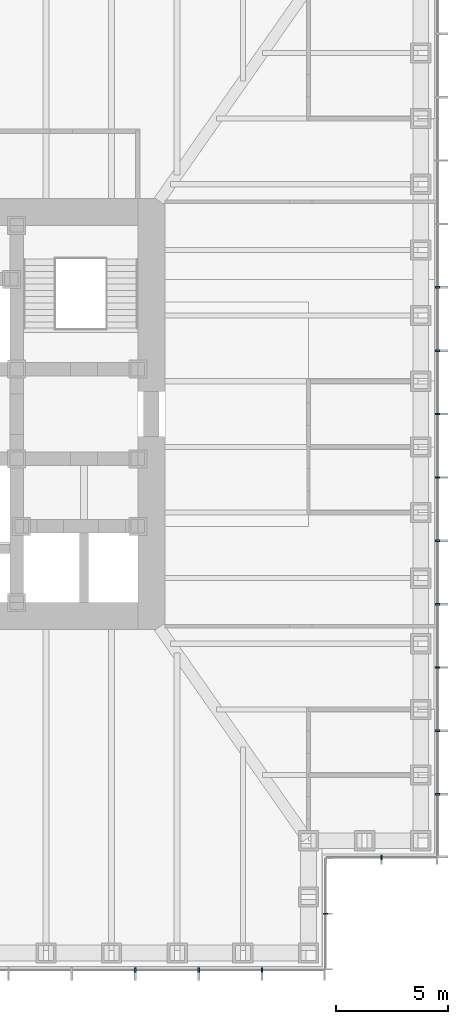
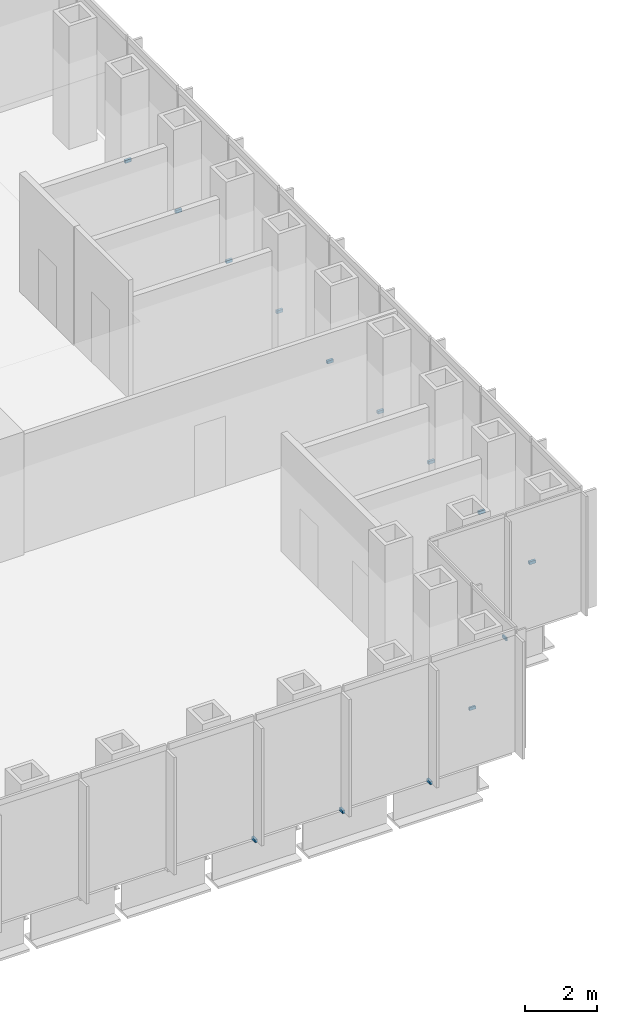
# One storey, part 13 of 16: 14 discrete accessories.
"""IFC4 building model written with IfcOpenShell, lengths in metres."""

from ifc_helpers import new_model, si_unit, direction, frame, origin, origin_2d, place, context, subcontext, project, spatial, rectangle, extrude, element, save


model = new_model("IFC4")

# Units and contexts
model_context = context("Model", 3, precision=1e-05, world=origin(), true_north=direction((0.0, 1.0)))
body_context = subcontext(model_context, "Body", "Model", "MODEL_VIEW")
ifc_project = project(units=[si_unit("LENGTHUNIT", "METRE"), si_unit("AREAUNIT", "SQUARE_METRE"), si_unit("VOLUMEUNIT", "CUBIC_METRE"), si_unit("PLANEANGLEUNIT", "RADIAN"), si_unit("MASSUNIT", "GRAM", prefix="KILO")], contexts=[model_context])

# Site, building, storey
site_placement = place(None, origin())
site = spatial("IfcSite", under=ifc_project, at=site_placement, CompositionType="ELEMENT")
building_placement = place(site_placement, origin())
building = spatial("IfcBuilding", under=site, at=building_placement, Name="Daluyong Arena Tower", CompositionType="ELEMENT")
storey_placement = place(building_placement, frame((0.0, 0.0, 64.300048828125)))
storey = spatial("IfcBuildingStorey", under=building, at=storey_placement, Name="L13", CompositionType="ELEMENT", Elevation=64.300048828125)

# Discrete accessories
for number, where, z_axis, x_axis, name in (
    (1, (67.28564453125, 55.25, -0.10009765625), (0.0, 0.0, 1.0), (1.0, 0.0, 0.0), "curtain wall L13 S anchor bracket 12"),
    (2, (70.107177734375, 55.25, -0.10009765625), (0.0, 0.0, 1.0), (1.0, 0.0, 0.0), "curtain wall L13 S anchor bracket 13"),
    (3, (72.928466796875, 55.25, -0.10009765625), (0.0, 0.0, 1.0), (1.0, 0.0, 0.0), "curtain wall L13 S anchor bracket 14"),
):
    element("IfcDiscreteAccessory", number, at=place(storey_placement, frame(where, z_axis=z_axis, x_axis=x_axis)), inside=storey, Name=name, PredefinedType="BRACKET", context=body_context, shape_type="SweptSolid", body=[
        extrude(rectangle(XDim=0.080078125, YDim=0.199951171875, at=origin_2d()), origin(), (0.0, 0.0, 1.0), 0.10009765625),
    ])
for number, where, z_axis, x_axis, name in (
    (4, (75.75, 57.75, -0.10009765625), (0.0, 0.0, 1.0), (0.0, 1.0, 0.0), "curtain wall L13 SE-E anchor bracket 2"),
    (5, (78.25, 60.25, -0.10009765625), (0.0, 0.0, 1.0), (1.0, 0.0, 0.0), "curtain wall L13 SE-S anchor bracket 2"),
):
    element("IfcDiscreteAccessory", number, at=place(storey_placement, frame(where, z_axis=z_axis, x_axis=x_axis)), inside=storey, Name=name, PredefinedType="BRACKET", context=body_context, shape_type="SweptSolid", body=[
        extrude(rectangle(XDim=0.06005859375, YDim=0.199951171875, at=origin_2d()), origin(), (0.0, 0.0, 1.0), 0.10009765625),
    ])
for number, where, z_axis, x_axis, name in (
    (6, (80.75, 63.071533203125, -0.10009765625), (0.0, 0.0, 1.0), (0.0, 1.0, 0.0), "curtain wall L13 E anchor bracket 2"),
    (7, (80.75, 65.892822265625, -0.10009765625), (0.0, 0.0, 1.0), (0.0, 1.0, 0.0), "curtain wall L13 E anchor bracket 3"),
    (8, (80.75, 68.71435546875, -0.10009765625), (0.0, 0.0, 1.0), (0.0, 1.0, 0.0), "curtain wall L13 E anchor bracket 4"),
    (9, (80.75, 71.53564453125, -0.10009765625), (0.0, 0.0, 1.0), (0.0, 1.0, 0.0), "curtain wall L13 E anchor bracket 5"),
    (10, (80.75, 74.357177734375, -0.10009765625), (0.0, 0.0, 1.0), (0.0, 1.0, 0.0), "curtain wall L13 E anchor bracket 6"),
    (11, (80.75, 77.178466796875, -0.10009765625), (0.0, 0.0, 1.0), (0.0, 1.0, 0.0), "curtain wall L13 E anchor bracket 7"),
    (12, (80.75, 80.0, -0.10009765625), (0.0, 0.0, 1.0), (0.0, 1.0, 0.0), "curtain wall L13 E anchor bracket 8"),
    (13, (80.75, 82.821533203125, -0.10009765625), (0.0, 0.0, 1.0), (0.0, 1.0, 0.0), "curtain wall L13 E anchor bracket 9"),
    (14, (80.75, 85.642822265625, -0.10009765625), (0.0, 0.0, 1.0), (0.0, 1.0, 0.0), "curtain wall L13 E anchor bracket 10"),
):
    element("IfcDiscreteAccessory", number, at=place(storey_placement, frame(where, z_axis=z_axis, x_axis=x_axis)), inside=storey, Name=name, PredefinedType="BRACKET", context=body_context, shape_type="SweptSolid", body=[
        extrude(rectangle(XDim=0.080078125, YDim=0.199951171875, at=origin_2d()), origin(), (0.0, 0.0, 1.0), 0.10009765625),
    ])

save(model, "model.ifc")
